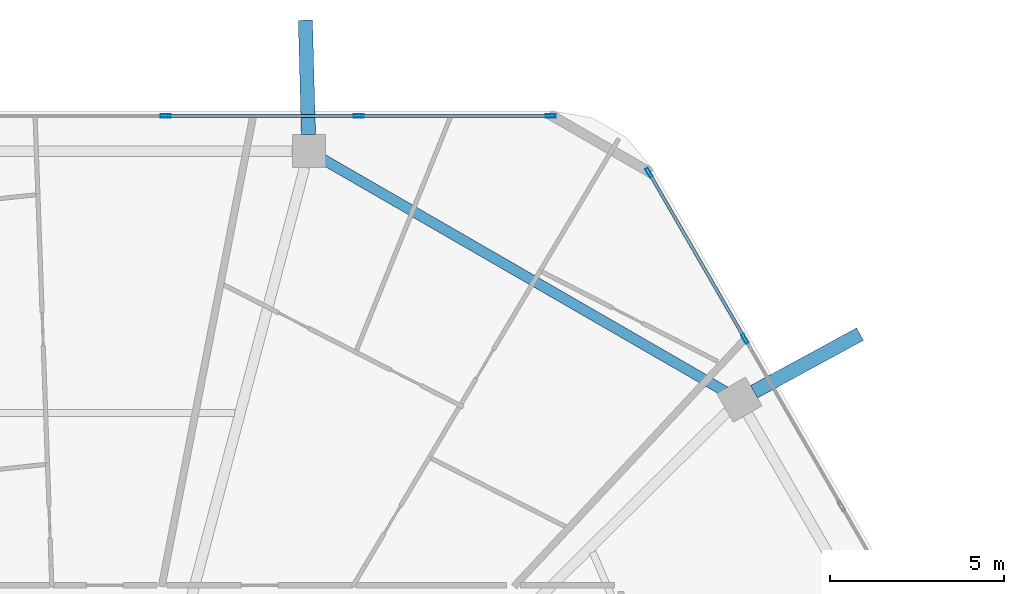
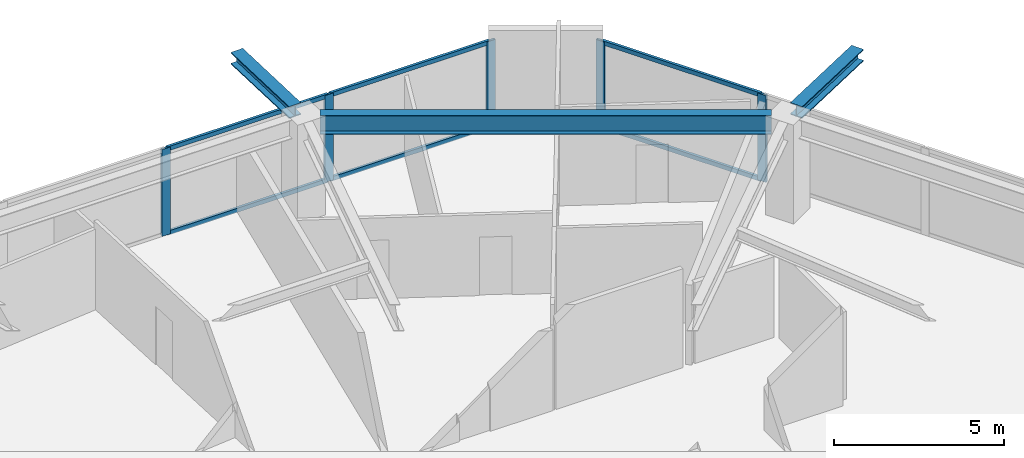
# One storey, part 15 of 26: 11 members, 3 beams, 2 elements without a shape of their own.
"""IFC4 building model written with IfcOpenShell, lengths in metres."""

from ifc_helpers import new_model, si_unit, direction, frame, origin, origin_2d, place, context, subcontext, project, spatial, hollow_rectangle, i_section, extrude, material, material_profile, profile_set, type_object, element, aggregate, save


model = new_model("IFC4")

# Units and contexts
model_context = context("Model", 3, precision=1e-05, world=origin(), true_north=direction((0.0, 1.0)))
body_context = subcontext(model_context, "Body", "Model", "MODEL_VIEW")
ifc_project = project(units=[si_unit("LENGTHUNIT", "METRE"), si_unit("AREAUNIT", "SQUARE_METRE"), si_unit("VOLUMEUNIT", "CUBIC_METRE"), si_unit("PLANEANGLEUNIT", "RADIAN"), si_unit("MASSUNIT", "GRAM", prefix="KILO")], contexts=[model_context])

# Site, building, storey
site_placement = place(None, origin())
site = spatial("IfcSite", under=ifc_project, at=site_placement, CompositionType="ELEMENT")
building_placement = place(site_placement, origin())
building = spatial("IfcBuilding", under=site, at=building_placement, Name="Zuhravey Tower", CompositionType="ELEMENT")
storey_placement = place(building_placement, frame((0.0, 0.0, 211.199951171875)))
storey = spatial("IfcBuildingStorey", under=building, at=storey_placement, Name="L53", CompositionType="ELEMENT", Elevation=211.199951171875)

# Curtain wall, members
ifc_material_1 = material(Name="Thermally broken anodised aluminium", Category="aluminium")
curtain_wall_type = type_object("IfcCurtainWallType", Name="Zone 1-2 Residential Curtain Wall CW3", PredefinedType="NOTDEFINED", material=ifc_material_1)
curtain_wall_1_placement = place(storey_placement, origin())
curtain_wall_1 = element("IfcCurtainWall", 1, at=curtain_wall_1_placement, inside=storey, type_object=curtain_wall_type, Name="L53 CW3 CW-L53-F2-1", PredefinedType="NOTDEFINED")
ifc_material_2 = material(Name="Anodised aluminium", Category="aluminium")
ifc_material_profile_1 = material_profile(ifc_material_2, hollow_rectangle(XDim=0.090087890625, YDim=0.284912109375, WallThickness=0.0048828125, at=origin_2d()), Name="ALU-RHS-90x285x5")
ifc_profile_set_1 = profile_set([ifc_material_profile_1], Name="Anodised aluminium")
member_type_1 = type_object("IfcMemberType", Name="Curtain-Wall Mullion 90x180", PredefinedType="MULLION", material=ifc_profile_set_1)
member_1_placement = place(storey_placement, frame((38.772216796875, 59.18310546875, 0.0), z_axis=(0.0, 0.0, 1.0), x_axis=(0.0, 1.0, 0.0)))
member_1 = element("IfcMember", 2, at=member_1_placement, type_object=member_type_1, Name="CW3 mullion 4", PredefinedType="MULLION", context=body_context, shape_type="SweptSolid", body=[
    extrude(hollow_rectangle(XDim=0.090087890625, YDim=0.284912109375, WallThickness=0.0048828125, at=origin_2d()), origin(), (0.0, 0.0, 1.0), 3.1220703125),
])
member_2_placement = place(storey_placement, frame((44.316650390625, 59.18310546875, 0.0), z_axis=(0.0, 0.0, 1.0), x_axis=(0.0, 1.0, 0.0)))
member_2 = element("IfcMember", 3, at=member_2_placement, type_object=member_type_1, Name="CW3 mullion 5", PredefinedType="MULLION", context=body_context, shape_type="SweptSolid", body=[
    extrude(hollow_rectangle(XDim=0.090087890625, YDim=0.284912109375, WallThickness=0.0048828125, at=origin_2d()), origin(), (0.0, 0.0, 1.0), 3.1220703125),
])
member_3_placement = place(storey_placement, frame((49.816162109375, 59.18310546875, 0.0), z_axis=(0.0, 0.0, 1.0), x_axis=(0.0, 1.0, 0.0)))
member_3 = element("IfcMember", 4, at=member_3_placement, type_object=member_type_1, Name="CW3 mullion 6", PredefinedType="MULLION", context=body_context, shape_type="SweptSolid", body=[
    extrude(hollow_rectangle(XDim=0.090087890625, YDim=0.284912109375, WallThickness=0.0048828125, at=origin_2d()), origin(), (0.0, 0.0, 1.0), 3.1220703125),
])

curtain_wall_2_placement = place(storey_placement, origin())
curtain_wall_2 = element("IfcCurtainWall", 5, at=curtain_wall_2_placement, inside=storey, type_object=curtain_wall_type, Name="L53 CW3 CW-L53-F1-1", PredefinedType="NOTDEFINED")
member_4_placement = place(storey_placement, frame((52.63330078125, 57.556640625, 0.0), z_axis=(0.0, 0.0, 1.0), x_axis=(0.866025138215, 0.500000459979, 0.0)))
member_4 = element("IfcMember", 6, at=member_4_placement, type_object=member_type_1, Name="CW3 mullion 1", PredefinedType="MULLION", context=body_context, shape_type="SweptSolid", body=[
    extrude(hollow_rectangle(XDim=0.090087890625, YDim=0.284912109375, WallThickness=0.0048828125, at=origin_2d()), origin(), (0.0, 0.0, 1.0), 3.1220703125),
])
member_5_placement = place(storey_placement, frame((55.3828125, 52.7939453125, 0.0), z_axis=(0.0, 0.0, 1.0), x_axis=(0.866025138215, 0.500000459979, 0.0)))
member_5 = element("IfcMember", 7, at=member_5_placement, type_object=member_type_1, Name="CW3 mullion 2", PredefinedType="MULLION", context=body_context, shape_type="SweptSolid", body=[
    extrude(hollow_rectangle(XDim=0.090087890625, YDim=0.284912109375, WallThickness=0.0048828125, at=origin_2d()), origin(), (0.0, 0.0, 1.0), 3.1220703125),
])

# Member
ifc_material_profile_2 = material_profile(ifc_material_2, hollow_rectangle(XDim=0.090087890625, YDim=0.14990234375, WallThickness=0.0048828125, at=origin_2d()), Name="ALU-RHS-90x150x5")
ifc_profile_set_2 = profile_set([ifc_material_profile_2], Name="Anodised aluminium")
member_type_2 = type_object("IfcMemberType", Name="Curtain-Wall Transom 90x150", PredefinedType="USERDEFINED", material=ifc_profile_set_2)
member_6_placement = place(storey_placement, frame((38.817138671875, 59.18310546875, 0.045166015625), z_axis=(1.0, 0.0, 0.0), x_axis=(0.0, 1.0, 0.0)))
member_6 = element("IfcMember", 8, at=member_6_placement, type_object=member_type_2, Name="CW3 transom 4.1", ObjectType="TRANSOM", PredefinedType="USERDEFINED", context=body_context, shape_type="SweptSolid", body=[
    extrude(hollow_rectangle(XDim=0.090087890625, YDim=0.14990234375, WallThickness=0.0048828125, at=origin_2d()), origin(), (0.0, 0.0, 1.0), 5.45458984375),
])

member_7_placement = place(storey_placement, frame((38.817138671875, 59.18310546875, 3.0771484375), z_axis=(1.0, 0.0, 0.0), x_axis=(0.0, 1.0, 0.0)))
member_7 = element("IfcMember", 9, at=member_7_placement, type_object=member_type_2, Name="CW3 transom 4.2", ObjectType="TRANSOM", PredefinedType="USERDEFINED", context=body_context, shape_type="SweptSolid", body=[
    extrude(hollow_rectangle(XDim=0.090087890625, YDim=0.14990234375, WallThickness=0.0048828125, at=origin_2d()), origin(), (0.0, 0.0, 1.0), 5.45458984375),
])

member_8_placement = place(storey_placement, frame((44.361572265625, 59.18310546875, 0.045166015625), z_axis=(1.0, 0.0, 0.0), x_axis=(0.0, 1.0, 0.0)))
member_8 = element("IfcMember", 10, at=member_8_placement, type_object=member_type_2, Name="CW3 transom 5.1", ObjectType="TRANSOM", PredefinedType="USERDEFINED", context=body_context, shape_type="SweptSolid", body=[
    extrude(hollow_rectangle(XDim=0.090087890625, YDim=0.14990234375, WallThickness=0.0048828125, at=origin_2d()), origin(), (0.0, 0.0, 1.0), 5.409423828125),
])

member_9_placement = place(storey_placement, frame((44.361572265625, 59.18310546875, 3.0771484375), z_axis=(1.0, 0.0, 0.0), x_axis=(0.0, 1.0, 0.0)))
member_9 = element("IfcMember", 11, at=member_9_placement, type_object=member_type_2, Name="CW3 transom 5.2", ObjectType="TRANSOM", PredefinedType="USERDEFINED", context=body_context, shape_type="SweptSolid", body=[
    extrude(hollow_rectangle(XDim=0.090087890625, YDim=0.14990234375, WallThickness=0.0048828125, at=origin_2d()), origin(), (0.0, 0.0, 1.0), 5.409423828125),
])

aggregate(curtain_wall_1, [member_1, member_2, member_3, member_6, member_7, member_8, member_9])

member_10_placement = place(storey_placement, frame((52.65576171875, 57.517578125, 0.045166015625), z_axis=(0.499993332629, -0.866029253159, 0.0), x_axis=(0.866029253159, 0.499993332629, 0.0)))
member_10 = element("IfcMember", 12, at=member_10_placement, type_object=member_type_2, Name="CW3 transom 1.1", ObjectType="TRANSOM", PredefinedType="USERDEFINED", context=body_context, shape_type="SweptSolid", body=[
    extrude(hollow_rectangle(XDim=0.090087890625, YDim=0.14990234375, WallThickness=0.0048828125, at=origin_2d()), origin(), (0.0, 0.0, 1.0), 5.4091796875),
])

member_11_placement = place(storey_placement, frame((52.65576171875, 57.517578125, 3.0771484375), z_axis=(0.499993332629, -0.866029253159, 0.0), x_axis=(0.866029253159, 0.499993332629, 0.0)))
member_11 = element("IfcMember", 13, at=member_11_placement, type_object=member_type_2, Name="CW3 transom 1.2", ObjectType="TRANSOM", PredefinedType="USERDEFINED", context=body_context, shape_type="SweptSolid", body=[
    extrude(hollow_rectangle(XDim=0.090087890625, YDim=0.14990234375, WallThickness=0.0048828125, at=origin_2d()), origin(), (0.0, 0.0, 1.0), 5.4091796875),
])

aggregate(curtain_wall_2, [member_4, member_5, member_10, member_11])

# Beams
ifc_material_3 = material(Name="Steel SM460", Category="steel")
ifc_material_profile_3 = material_profile(ifc_material_3, i_section(OverallWidth=0.406982421875, OverallDepth=0.427978515625, WebThickness=0.02001953125, FlangeThickness=0.034912109375, at=origin_2d()), Name="H-428x407x20x35")
ifc_profile_set_3 = profile_set([ifc_material_profile_3], Name="Steel SM460")
beam_type_1 = type_object("IfcBeamType", Name="Exoskeleton Node Tie Beam H428x407", PredefinedType="BEAM", material=ifc_profile_set_3)
beam_1_placement = place(storey_placement, frame((55.646484375, 51.275390625, 3.3359375), z_axis=(0.878547852506, 0.477654342445, 0.0), x_axis=(-0.477654342445, 0.878547852506, 0.0)))
element("IfcBeam", 14, at=beam_1_placement, inside=storey, type_object=beam_type_1, Name="L53 Exoskeleton Node Tie NT1-02", PredefinedType="BEAM", context=body_context, shape_type="SweptSolid", body=[
    extrude(i_section(OverallWidth=0.406982421875, OverallDepth=0.427978515625, WebThickness=0.02001953125, FlangeThickness=0.034912109375, at=origin_2d()), origin(), (0.0, 0.0, 1.0), 3.457275390625),
])
beam_2_placement = place(storey_placement, frame((42.869140625, 58.652099609375, 3.3359375), z_axis=(-0.026743542408, 0.999642327505, 0.0), x_axis=(-0.999642327505, -0.026743542408, 0.0)))
element("IfcBeam", 15, at=beam_2_placement, inside=storey, type_object=beam_type_1, Name="L53 Exoskeleton Node Tie NT1-03", PredefinedType="BEAM", context=body_context, shape_type="SweptSolid", body=[
    extrude(i_section(OverallWidth=0.406982421875, OverallDepth=0.427978515625, WebThickness=0.02001953125, FlangeThickness=0.034912109375, at=origin_2d()), origin(), (0.0, 0.0, 1.0), 3.27734375),
])
ifc_material_4 = material(Name="Steel SM355", Category="steel")
ifc_material_profile_4 = material_profile(ifc_material_4, i_section(OverallWidth=0.300048828125, OverallDepth=0.679931640625, WebThickness=0.012939453125, FlangeThickness=0.02197265625, at=origin_2d()), Name="H-680x300x13x22")
ifc_profile_set_4 = profile_set([ifc_material_profile_4], Name="Steel SM355")
beam_type_2 = type_object("IfcBeamType", Name="Perimeter Ring Beam H680x300", PredefinedType="BEAM", material=ifc_profile_set_4)
beam_3_placement = place(storey_placement, frame((54.8115234375, 51.28564453125, 3.2099609375), z_axis=(-0.866029041019, 0.499993700073, 0.0), x_axis=(-0.499993700073, -0.866029041019, 0.0)))
element("IfcBeam", 16, at=beam_3_placement, inside=storey, type_object=beam_type_2, Name="L53 PB2 BM-L53-PB-02", PredefinedType="BEAM", context=body_context, shape_type="SweptSolid", body=[
    extrude(i_section(OverallWidth=0.300048828125, OverallDepth=0.679931640625, WebThickness=0.012939453125, FlangeThickness=0.02197265625, at=origin_2d()), origin(), (0.0, 0.0, 1.0), 13.297119140625),
])

save(model, "model.ifc")
